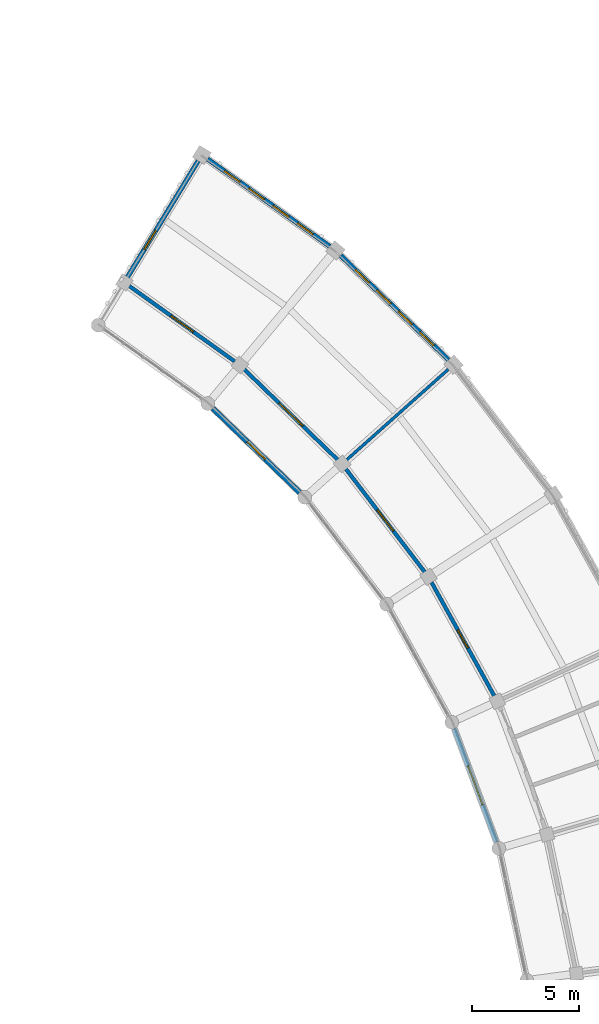
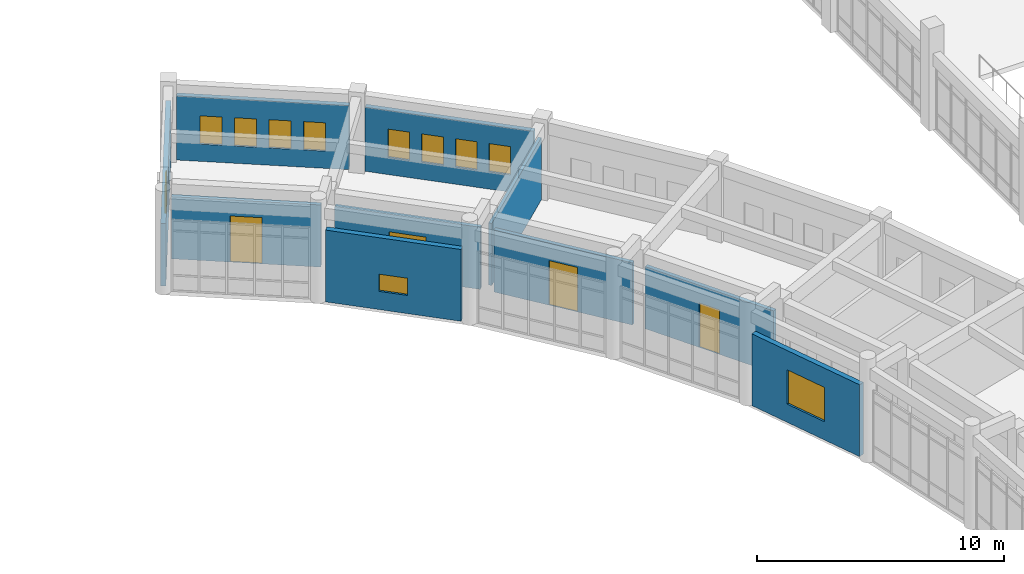
# One storey, part 132 of 159: 11 windows, 10 walls, 4 doors, 15 openings.
"""IFC4 building model written with IfcOpenShell, lengths in metres."""

from ifc_helpers import new_model, si_unit, direction, frame, frame_2d, origin, place, context, subcontext, project, spatial, rectangle, extrude, material, layer, layer_set, type_object, element, fill, save


model = new_model("IFC4")

# Units and contexts
model_context = context("Model", 3, precision=1e-05, world=origin(), true_north=direction((0.0, 1.0)))
body_context = subcontext(model_context, "Body", "Model", "MODEL_VIEW")
ifc_project = project(units=[si_unit("LENGTHUNIT", "METRE"), si_unit("AREAUNIT", "SQUARE_METRE"), si_unit("VOLUMEUNIT", "CUBIC_METRE"), si_unit("PLANEANGLEUNIT", "RADIAN"), si_unit("MASSUNIT", "GRAM", prefix="KILO")], contexts=[model_context])

# Site, building, storey
site_placement = place(None, origin())
site = spatial("IfcSite", under=ifc_project, at=site_placement, CompositionType="ELEMENT")
building_placement = place(site_placement, origin())
building = spatial("IfcBuilding", under=site, at=building_placement, Name="Celadon Cloister-Ring School", CompositionType="ELEMENT")
storey_placement = place(building_placement, frame((0.0, 0.0, 4.5)))
storey = spatial("IfcBuildingStorey", under=building, at=storey_placement, Name="L01", CompositionType="ELEMENT", Elevation=4.5)

# Wall, opening, window
ifc_material_1 = material(Name="Rendered concrete blockwork", Category="masonry")
ifc_layer_1 = layer(ifc_material_1, 0.239990234375)
ifc_layer_set_1 = layer_set([ifc_layer_1], Name="Rendered concrete blockwork")
wall_type_1 = type_object("IfcWallType", Name="WT-EX3", PredefinedType="SOLIDWALL", material=ifc_layer_set_1)
wall_1_placement = place(storey_placement, frame((127.843017578125, 71.205078125, 0.0), z_axis=(0.0, 0.0, 1.0), x_axis=(-0.349503004543, 0.936935243128, 0.0)))
wall_1 = element("IfcWall", 1, at=wall_1_placement, inside=storey, type_object=wall_type_1, Name="Exterior Wall 0094", PredefinedType="SOLIDWALL", context=body_context, shape_type="SweptSolid", body=[
    extrude(rectangle(XDim=5.6650390625, YDim=0.239990234375, at=frame_2d((2.83251953125, 0.0))), origin(), (0.0, 0.0, 1.0), 3.550048828125),
])
opening_1_placement = place(wall_1_placement, frame((1.85791015625, 0.0, 0.89990234375)))
opening_1 = element("IfcOpeningElement", 2, at=opening_1_placement, cuts=wall_1, Name="Opening WN-46", PredefinedType="OPENING", context=body_context, shape_type="SweptSolid", body=[
    extrude(rectangle(XDim=1.949951171875, YDim=1.699951171875, at=frame_2d((0.97509765625, 0.85009765625))), frame((0.0, 0.1298828125, 0.0), z_axis=(0.0, -1.0, 0.0), x_axis=(1.0, 0.0, 0.0)), (0.0, 0.0, 1.0), 0.260009765625),
])
ifc_material_2 = material(Name="Tempered laminated insulating glass", Category="glass")
window_type_1 = type_object("IfcWindowType", Name="WN-46", PartitioningType="DOUBLE_PANEL_VERTICAL", PredefinedType="WINDOW", material=ifc_material_2)
window_1_placement = place(opening_1_placement, origin())
window_1 = element("IfcWindow", 3, at=window_1_placement, inside=storey, type_object=window_type_1, Name="Window 0254", OverallHeight=1.699951171875, OverallWidth=1.949951171875, PartitioningType="SINGLE_PANEL", PredefinedType="WINDOW", context=body_context, shape_type="SweptSolid", body=[
    extrude(rectangle(XDim=1.949951171875, YDim=1.699951171875, at=frame_2d((0.97509765625, 0.85009765625))), frame((0.0, 0.030029296875, 0.0), z_axis=(0.0, -1.0, 0.0), x_axis=(1.0, 0.0, 0.0)), (0.0, 0.0, 1.0), 0.06005859375),
])
fill(opening_1, window_1)

wall_2_placement = place(storey_placement, frame((118.614990234375, 87.592041015625, 0.0), z_axis=(0.0, 0.0, 1.0), x_axis=(-0.718413161099, 0.695616654458, 0.0)))
wall_2 = element("IfcWall", 4, at=wall_2_placement, inside=storey, type_object=wall_type_1, Name="Exterior Wall 0098", PredefinedType="SOLIDWALL", context=body_context, shape_type="SweptSolid", body=[
    extrude(rectangle(XDim=5.665283203125, YDim=0.239990234375, at=frame_2d((2.83251953125, 0.0))), origin(), (0.0, 0.0, 1.0), 3.550048828125),
])
opening_2_placement = place(wall_2_placement, frame((2.23291015625, 0.0, 0.89990234375)))
opening_2 = element("IfcOpeningElement", 5, at=opening_2_placement, cuts=wall_2, Name="Opening WN-49", PredefinedType="OPENING", context=body_context, shape_type="SweptSolid", body=[
    extrude(rectangle(XDim=1.199951171875, YDim=0.85009765625, at=frame_2d((0.60009765625, 0.425048828125))), frame((0.0, 0.1298828125, 0.0), z_axis=(0.0, -1.0, 0.0), x_axis=(1.0, 0.0, 0.0)), (0.0, 0.0, 1.0), 0.260009765625),
])
ifc_material_3 = material(Name="Tempered laminated insulating glass", Category="glass")
window_type_2 = type_object("IfcWindowType", Name="WN-49", PartitioningType="SINGLE_PANEL", PredefinedType="WINDOW", material=ifc_material_3)
window_2_placement = place(opening_2_placement, origin())
window_2 = element("IfcWindow", 6, at=window_2_placement, inside=storey, type_object=window_type_2, Name="Window 0267", OverallHeight=0.85009765625, OverallWidth=1.199951171875, PartitioningType="SINGLE_PANEL", PredefinedType="WINDOW", context=body_context, shape_type="SweptSolid", body=[
    extrude(rectangle(XDim=1.199951171875, YDim=0.85009765625, at=frame_2d((0.60009765625, 0.425048828125))), frame((0.0, 0.030029296875, 0.0), z_axis=(0.0, -1.0, 0.0), x_axis=(1.0, 0.0, 0.0)), (0.0, 0.0, 1.0), 0.06005859375),
])
fill(opening_2, window_2)

# Wall, openings, windows
ifc_material_4 = material(Name="Perforated terracotta clay brick masonry", Category="masonry")
ifc_layer_2 = layer(ifc_material_4, 0.219970703125)
ifc_layer_set_2 = layer_set([ifc_layer_2], Name="Perforated terracotta clay brick masonry")
wall_type_2 = type_object("IfcWallType", Name="WT-EX4", PredefinedType="SOLIDWALL", material=ifc_layer_set_2)
wall_3_placement = place(storey_placement, frame((120.5380859375, 98.70703125, 0.0), z_axis=(0.0, 0.0, 1.0), x_axis=(0.718677705088, -0.695343336927, 0.0)))
wall_3 = element("IfcWall", 7, at=wall_3_placement, inside=storey, type_object=wall_type_2, Name="Exterior Wall 0097", PredefinedType="SOLIDWALL", context=body_context, shape_type="SweptSolid", body=[
    extrude(rectangle(XDim=7.031005859375, YDim=0.219970703125, at=frame_2d((3.515625, 0.0))), origin(), (0.0, 0.0, 1.0), 3.172119140625),
])
opening_3_placement = place(wall_3_placement, frame((0.9560546875, 0.0, 0.85009765625)))
opening_3 = element("IfcOpeningElement", 8, at=opening_3_placement, cuts=wall_3, Name="Opening WN-21", PredefinedType="OPENING", context=body_context, shape_type="SweptSolid", body=[
    extrude(rectangle(XDim=0.89990234375, YDim=1.39990234375, at=frame_2d((0.449951171875, 0.699951171875))), frame((0.0, 0.1201171875, 0.0), z_axis=(0.0, -1.0, 0.0), x_axis=(1.0, 0.0, 0.0)), (0.0, 0.0, 1.0), 0.239990234375),
])
opening_4_placement = place(wall_3_placement, frame((2.362060546875, 0.0, 0.85009765625)))
opening_4 = element("IfcOpeningElement", 9, at=opening_4_placement, cuts=wall_3, Name="Opening WN-21", PredefinedType="OPENING", context=body_context, shape_type="SweptSolid", body=[
    extrude(rectangle(XDim=0.89990234375, YDim=1.39990234375, at=frame_2d((0.449951171875, 0.699951171875))), frame((0.0, 0.1201171875, 0.0), z_axis=(0.0, -1.0, 0.0), x_axis=(1.0, 0.0, 0.0)), (0.0, 0.0, 1.0), 0.239990234375),
])
opening_5_placement = place(wall_3_placement, frame((3.76904296875, 0.0, 0.85009765625)))
opening_5 = element("IfcOpeningElement", 10, at=opening_5_placement, cuts=wall_3, Name="Opening WN-21", PredefinedType="OPENING", context=body_context, shape_type="SweptSolid", body=[
    extrude(rectangle(XDim=0.89990234375, YDim=1.39990234375, at=frame_2d((0.449951171875, 0.699951171875))), frame((0.0, 0.1201171875, 0.0), z_axis=(0.0, -1.0, 0.0), x_axis=(1.0, 0.0, 0.0)), (0.0, 0.0, 1.0), 0.239990234375),
])
opening_6_placement = place(wall_3_placement, frame((5.175048828125, 0.0, 0.85009765625)))
opening_6 = element("IfcOpeningElement", 11, at=opening_6_placement, cuts=wall_3, Name="Opening WN-21", PredefinedType="OPENING", context=body_context, shape_type="SweptSolid", body=[
    extrude(rectangle(XDim=0.89990234375, YDim=1.39990234375, at=frame_2d((0.449951171875, 0.699951171875))), frame((0.0, 0.1201171875, 0.0), z_axis=(0.0, -1.0, 0.0), x_axis=(1.0, 0.0, 0.0)), (0.0, 0.0, 1.0), 0.239990234375),
])
ifc_material_5 = material(Name="Tempered laminated insulating glass", Category="glass")
window_type_3 = type_object("IfcWindowType", Name="WN-21", PartitioningType="SINGLE_PANEL", PredefinedType="WINDOW", material=ifc_material_5)
window_3_placement = place(opening_3_placement, origin())
window_3 = element("IfcWindow", 12, at=window_3_placement, inside=storey, type_object=window_type_3, Name="Window 0263", OverallHeight=1.39990234375, OverallWidth=0.89990234375, PartitioningType="SINGLE_PANEL", PredefinedType="WINDOW", context=body_context, shape_type="SweptSolid", body=[
    extrude(rectangle(XDim=0.89990234375, YDim=1.39990234375, at=frame_2d((0.449951171875, 0.699951171875))), frame((0.0, 0.030029296875, 0.0), z_axis=(0.0, -1.0, 0.0), x_axis=(1.0, 0.0, 0.0)), (0.0, 0.0, 1.0), 0.06005859375),
])
fill(opening_3, window_3)
window_4_placement = place(opening_4_placement, origin())
window_4 = element("IfcWindow", 13, at=window_4_placement, inside=storey, type_object=window_type_3, Name="Window 0264", OverallHeight=1.39990234375, OverallWidth=0.89990234375, PartitioningType="SINGLE_PANEL", PredefinedType="WINDOW", context=body_context, shape_type="SweptSolid", body=[
    extrude(rectangle(XDim=0.89990234375, YDim=1.39990234375, at=frame_2d((0.449951171875, 0.699951171875))), frame((0.0, 0.030029296875, 0.0), z_axis=(0.0, -1.0, 0.0), x_axis=(1.0, 0.0, 0.0)), (0.0, 0.0, 1.0), 0.06005859375),
])
fill(opening_4, window_4)
window_5_placement = place(opening_5_placement, origin())
window_5 = element("IfcWindow", 14, at=window_5_placement, inside=storey, type_object=window_type_3, Name="Window 0265", OverallHeight=1.39990234375, OverallWidth=0.89990234375, PartitioningType="SINGLE_PANEL", PredefinedType="WINDOW", context=body_context, shape_type="SweptSolid", body=[
    extrude(rectangle(XDim=0.89990234375, YDim=1.39990234375, at=frame_2d((0.449951171875, 0.699951171875))), frame((0.0, 0.030029296875, 0.0), z_axis=(0.0, -1.0, 0.0), x_axis=(1.0, 0.0, 0.0)), (0.0, 0.0, 1.0), 0.06005859375),
])
fill(opening_5, window_5)
window_6_placement = place(opening_6_placement, origin())
window_6 = element("IfcWindow", 15, at=window_6_placement, inside=storey, type_object=window_type_3, Name="Window 0266", OverallHeight=1.39990234375, OverallWidth=0.89990234375, PartitioningType="SINGLE_PANEL", PredefinedType="WINDOW", context=body_context, shape_type="SweptSolid", body=[
    extrude(rectangle(XDim=0.89990234375, YDim=1.39990234375, at=frame_2d((0.449951171875, 0.699951171875))), frame((0.0, 0.030029296875, 0.0), z_axis=(0.0, -1.0, 0.0), x_axis=(1.0, 0.0, 0.0)), (0.0, 0.0, 1.0), 0.06005859375),
])
fill(opening_6, window_6)

wall_4_placement = place(storey_placement, frame((114.303955078125, 103.22705078125, 0.0), z_axis=(0.0, 0.0, 1.0), x_axis=(0.81337207515, -0.581743815924, 0.0)))
wall_4 = element("IfcWall", 16, at=wall_4_placement, inside=storey, type_object=wall_type_2, Name="Exterior Wall 0099", PredefinedType="SOLIDWALL", context=body_context, shape_type="SweptSolid", body=[
    extrude(rectangle(XDim=7.032470703125, YDim=0.219970703125, at=frame_2d((3.51611328125, 0.0))), origin(), (0.0, 0.0, 1.0), 3.172119140625),
])
opening_7_placement = place(wall_4_placement, frame((0.9560546875, 0.0, 0.85009765625)))
opening_7 = element("IfcOpeningElement", 17, at=opening_7_placement, cuts=wall_4, Name="Opening WN-21", PredefinedType="OPENING", context=body_context, shape_type="SweptSolid", body=[
    extrude(rectangle(XDim=0.89990234375, YDim=1.39990234375, at=frame_2d((0.449951171875, 0.699951171875))), frame((0.0, 0.1201171875, 0.0), z_axis=(0.0, -1.0, 0.0), x_axis=(1.0, 0.0, 0.0)), (0.0, 0.0, 1.0), 0.239990234375),
])
opening_8_placement = place(wall_4_placement, frame((2.363037109375, 0.0, 0.85009765625)))
opening_8 = element("IfcOpeningElement", 18, at=opening_8_placement, cuts=wall_4, Name="Opening WN-21", PredefinedType="OPENING", context=body_context, shape_type="SweptSolid", body=[
    extrude(rectangle(XDim=0.89990234375, YDim=1.39990234375, at=frame_2d((0.449951171875, 0.699951171875))), frame((0.0, 0.1201171875, 0.0), z_axis=(0.0, -1.0, 0.0), x_axis=(1.0, 0.0, 0.0)), (0.0, 0.0, 1.0), 0.239990234375),
])
opening_9_placement = place(wall_4_placement, frame((3.76904296875, 0.0, 0.85009765625)))
opening_9 = element("IfcOpeningElement", 19, at=opening_9_placement, cuts=wall_4, Name="Opening WN-21", PredefinedType="OPENING", context=body_context, shape_type="SweptSolid", body=[
    extrude(rectangle(XDim=0.89990234375, YDim=1.39990234375, at=frame_2d((0.449951171875, 0.699951171875))), frame((0.0, 0.1201171875, 0.0), z_axis=(0.0, -1.0, 0.0), x_axis=(1.0, 0.0, 0.0)), (0.0, 0.0, 1.0), 0.239990234375),
])
opening_10_placement = place(wall_4_placement, frame((5.176025390625, 0.0, 0.85009765625)))
opening_10 = element("IfcOpeningElement", 20, at=opening_10_placement, cuts=wall_4, Name="Opening WN-21", PredefinedType="OPENING", context=body_context, shape_type="SweptSolid", body=[
    extrude(rectangle(XDim=0.89990234375, YDim=1.39990234375, at=frame_2d((0.449951171875, 0.699951171875))), frame((0.0, 0.1201171875, 0.0), z_axis=(0.0, -1.0, 0.0), x_axis=(1.0, 0.0, 0.0)), (0.0, 0.0, 1.0), 0.239990234375),
])
window_7_placement = place(opening_7_placement, origin())
window_7 = element("IfcWindow", 21, at=window_7_placement, inside=storey, type_object=window_type_3, Name="Window 0268", OverallHeight=1.39990234375, OverallWidth=0.89990234375, PartitioningType="SINGLE_PANEL", PredefinedType="WINDOW", context=body_context, shape_type="SweptSolid", body=[
    extrude(rectangle(XDim=0.89990234375, YDim=1.39990234375, at=frame_2d((0.449951171875, 0.699951171875))), frame((0.0, 0.030029296875, 0.0), z_axis=(0.0, -1.0, 0.0), x_axis=(1.0, 0.0, 0.0)), (0.0, 0.0, 1.0), 0.06005859375),
])
fill(opening_7, window_7)
window_8_placement = place(opening_8_placement, origin())
window_8 = element("IfcWindow", 22, at=window_8_placement, inside=storey, type_object=window_type_3, Name="Window 0269", OverallHeight=1.39990234375, OverallWidth=0.89990234375, PartitioningType="SINGLE_PANEL", PredefinedType="WINDOW", context=body_context, shape_type="SweptSolid", body=[
    extrude(rectangle(XDim=0.89990234375, YDim=1.39990234375, at=frame_2d((0.449951171875, 0.699951171875))), frame((0.0, 0.030029296875, 0.0), z_axis=(0.0, -1.0, 0.0), x_axis=(1.0, 0.0, 0.0)), (0.0, 0.0, 1.0), 0.06005859375),
])
fill(opening_8, window_8)
window_9_placement = place(opening_9_placement, origin())
window_9 = element("IfcWindow", 23, at=window_9_placement, inside=storey, type_object=window_type_3, Name="Window 0270", OverallHeight=1.39990234375, OverallWidth=0.89990234375, PartitioningType="SINGLE_PANEL", PredefinedType="WINDOW", context=body_context, shape_type="SweptSolid", body=[
    extrude(rectangle(XDim=0.89990234375, YDim=1.39990234375, at=frame_2d((0.449951171875, 0.699951171875))), frame((0.0, 0.030029296875, 0.0), z_axis=(0.0, -1.0, 0.0), x_axis=(1.0, 0.0, 0.0)), (0.0, 0.0, 1.0), 0.06005859375),
])
fill(opening_9, window_9)
window_10_placement = place(opening_10_placement, origin())
window_10 = element("IfcWindow", 24, at=window_10_placement, inside=storey, type_object=window_type_3, Name="Window 0271", OverallHeight=1.39990234375, OverallWidth=0.89990234375, PartitioningType="SINGLE_PANEL", PredefinedType="WINDOW", context=body_context, shape_type="SweptSolid", body=[
    extrude(rectangle(XDim=0.89990234375, YDim=1.39990234375, at=frame_2d((0.449951171875, 0.699951171875))), frame((0.0, 0.030029296875, 0.0), z_axis=(0.0, -1.0, 0.0), x_axis=(1.0, 0.0, 0.0)), (0.0, 0.0, 1.0), 0.06005859375),
])
fill(opening_10, window_10)

# Wall, opening, window
wall_5_placement = place(storey_placement, frame((109.340087890625, 95.714111328125, 0.0), z_axis=(0.0, 0.0, 1.0), x_axis=(0.519865008616, 0.854248425703, 0.0)))
wall_5 = element("IfcWall", 25, at=wall_5_placement, inside=storey, type_object=wall_type_2, Name="Exterior Wall 0101", PredefinedType="SOLIDWALL", context=body_context, shape_type="SweptSolid", body=[
    extrude(rectangle(XDim=8.696533203125, YDim=0.219970703125, at=frame_2d((4.34814453125, 0.0))), origin(), (0.0, 0.0, 1.0), 3.072021484375),
])
opening_11_placement = place(wall_5_placement, frame((3.822998046875, 0.0, 0.89990234375)))
opening_11 = element("IfcOpeningElement", 26, at=opening_11_placement, cuts=wall_5, Name="Opening WN-22", PredefinedType="OPENING", context=body_context, shape_type="SweptSolid", body=[
    extrude(rectangle(XDim=1.050048828125, YDim=1.39990234375, at=frame_2d((0.52490234375, 0.699951171875))), frame((0.0, 0.1201171875, 0.0), z_axis=(0.0, -1.0, 0.0), x_axis=(1.0, 0.0, 0.0)), (0.0, 0.0, 1.0), 0.239990234375),
])
ifc_material_6 = material(Name="Tempered laminated insulating glass", Category="glass")
window_type_4 = type_object("IfcWindowType", Name="WN-22", PartitioningType="SINGLE_PANEL", PredefinedType="WINDOW", material=ifc_material_6)
window_11_placement = place(opening_11_placement, origin())
window_11 = element("IfcWindow", 27, at=window_11_placement, inside=storey, type_object=window_type_4, Name="Window 0273", OverallHeight=1.39990234375, OverallWidth=1.050048828125, PartitioningType="SINGLE_PANEL", PredefinedType="WINDOW", context=body_context, shape_type="SweptSolid", body=[
    extrude(rectangle(XDim=1.050048828125, YDim=1.39990234375, at=frame_2d((0.52490234375, 0.699951171875))), frame((0.0, 0.030029296875, 0.0), z_axis=(0.0, -1.0, 0.0), x_axis=(1.0, 0.0, 0.0)), (0.0, 0.0, 1.0), 0.06005859375),
])
fill(opening_11, window_11)

# Wall, opening, door
ifc_material_7 = material(Name="Plastered hollow concrete masonry", Category="masonry")
ifc_layer_3 = layer(ifc_material_7, 0.179931640625)
ifc_layer_set_3 = layer_set([ifc_layer_3], Name="Plastered hollow concrete masonry")
wall_type_3 = type_object("IfcWallType", Name="WT-PT2", PredefinedType="PARTITIONING", material=ifc_layer_set_3)
wall_6_placement = place(storey_placement, frame((127.741943359375, 78.056884765625, 0.0), z_axis=(0.0, 0.0, 1.0), x_axis=(-0.483784040094, 0.875187409959, 0.0)))
wall_6 = element("IfcWall", 28, at=wall_6_placement, inside=storey, type_object=wall_type_3, Name="Interior Wall 0533", PredefinedType="PARTITIONING", context=body_context, shape_type="SweptSolid", body=[
    extrude(rectangle(XDim=6.0810546875, YDim=0.179931640625, at=frame_2d((3.04052734375, 0.0))), origin(), (0.0, 0.0, 1.0), 3.072021484375),
])
opening_12_placement = place(wall_6_placement, frame((2.551025390625, 0.0, 0.0)))
opening_12 = element("IfcOpeningElement", 29, at=opening_12_placement, cuts=wall_6, Name="Opening D-0171", PredefinedType="OPENING", context=body_context, shape_type="SweptSolid", body=[
    extrude(rectangle(XDim=0.97998046875, YDim=2.199951171875, at=frame_2d((0.489990234375, 1.10009765625))), frame((0.0, 0.10009765625, 0.0), z_axis=(0.0, -1.0, 0.0), x_axis=(1.0, 0.0, 0.0)), (0.0, 0.0, 1.0), 0.199951171875),
])
ifc_material_8 = material(Name="Solid-core fire-rated hardwood leaf", Category="wood")
door_type_1 = type_object("IfcDoorType", Name="DT-07", OperationType="NOTDEFINED", PredefinedType="DOOR", material=ifc_material_8)
door_1_placement = place(opening_12_placement, origin())
door_1 = element("IfcDoor", 30, at=door_1_placement, inside=storey, type_object=door_type_1, Name="Door D-0171", OperationType="SINGLE_SWING_LEFT", OverallHeight=2.199951171875, OverallWidth=0.97998046875, PredefinedType="DOOR", context=body_context, shape_type="SweptSolid", body=[
    extrude(rectangle(XDim=0.97998046875, YDim=2.199951171875, at=frame_2d((0.489990234375, 1.10009765625))), frame((0.0, 0.02490234375, 0.0), z_axis=(0.0, -1.0, 0.0), x_axis=(1.0, 0.0, 0.0)), (0.0, 0.0, 1.0), 0.050048828125),
])
fill(opening_12, door_1)

wall_7_placement = place(storey_placement, frame((124.47998046875, 83.866943359375, 0.0), z_axis=(0.0, 0.0, 1.0), x_axis=(-0.607883612756, 0.794026141473, 0.0)))
wall_7 = element("IfcWall", 31, at=wall_7_placement, inside=storey, type_object=wall_type_3, Name="Interior Wall 0534", PredefinedType="PARTITIONING", context=body_context, shape_type="SweptSolid", body=[
    extrude(rectangle(XDim=6.081787109375, YDim=0.179931640625, at=frame_2d((3.041015625, 0.0))), origin(), (0.0, 0.0, 1.0), 3.072021484375),
])
opening_13_placement = place(wall_7_placement, frame((2.416015625, 0.0, 0.0)))
opening_13 = element("IfcOpeningElement", 32, at=opening_13_placement, cuts=wall_7, Name="Opening D-0172", PredefinedType="OPENING", context=body_context, shape_type="SweptSolid", body=[
    extrude(rectangle(XDim=1.25, YDim=2.199951171875, at=frame_2d((0.625, 1.10009765625))), frame((0.0, 0.10009765625, 0.0), z_axis=(0.0, -1.0, 0.0), x_axis=(1.0, 0.0, 0.0)), (0.0, 0.0, 1.0), 0.199951171875),
])
ifc_material_9 = material(Name="Galvanised fire-rated hollow steel leaf", Category="steel")
door_type_2 = type_object("IfcDoorType", Name="DT-10", OperationType="NOTDEFINED", PredefinedType="DOOR", material=ifc_material_9)
door_2_placement = place(opening_13_placement, origin())
door_2 = element("IfcDoor", 33, at=door_2_placement, inside=storey, type_object=door_type_2, Name="Door D-0172", OperationType="SINGLE_SWING_RIGHT", OverallHeight=2.199951171875, OverallWidth=1.25, PredefinedType="DOOR", context=body_context, shape_type="SweptSolid", body=[
    extrude(rectangle(XDim=1.25, YDim=2.199951171875, at=frame_2d((0.625, 1.10009765625))), frame((0.0, 0.02490234375, 0.0), z_axis=(0.0, -1.0, 0.0), x_axis=(1.0, 0.0, 0.0)), (0.0, 0.0, 1.0), 0.050048828125),
])
fill(opening_13, door_2)

wall_8_placement = place(storey_placement, frame((120.39501953125, 89.132080078125, 0.0), z_axis=(0.0, 0.0, 1.0), x_axis=(-0.7186137907, 0.695409390084, 0.0)))
wall_8 = element("IfcWall", 34, at=wall_8_placement, inside=storey, type_object=wall_type_3, Name="Interior Wall 0535", PredefinedType="PARTITIONING", context=body_context, shape_type="SweptSolid", body=[
    extrude(rectangle(XDim=6.081298828125, YDim=0.179931640625, at=frame_2d((3.04052734375, 0.0))), origin(), (0.0, 0.0, 1.0), 3.072021484375),
])
opening_14_placement = place(wall_8_placement, frame((2.26611328125, 0.0, 0.0)))
opening_14 = element("IfcOpeningElement", 35, at=opening_14_placement, cuts=wall_8, Name="Opening D-0173", PredefinedType="OPENING", context=body_context, shape_type="SweptSolid", body=[
    extrude(rectangle(XDim=1.550048828125, YDim=2.199951171875, at=frame_2d((0.77490234375, 1.10009765625))), frame((0.0, 0.10009765625, 0.0), z_axis=(0.0, -1.0, 0.0), x_axis=(1.0, 0.0, 0.0)), (0.0, 0.0, 1.0), 0.199951171875),
])
ifc_material_10 = material(Name="Galvanised fire-rated hollow steel leaf", Category="steel")
door_type_3 = type_object("IfcDoorType", Name="DT-13", OperationType="NOTDEFINED", PredefinedType="DOOR", material=ifc_material_10)
door_3_placement = place(opening_14_placement, origin())
door_3 = element("IfcDoor", 36, at=door_3_placement, inside=storey, type_object=door_type_3, Name="Door D-0173", OperationType="SINGLE_SWING_LEFT", OverallHeight=2.199951171875, OverallWidth=1.550048828125, PredefinedType="DOOR", context=body_context, shape_type="SweptSolid", body=[
    extrude(rectangle(XDim=1.550048828125, YDim=2.199951171875, at=frame_2d((0.77490234375, 1.10009765625))), frame((0.0, 0.02490234375, 0.0), z_axis=(0.0, -1.0, 0.0), x_axis=(1.0, 0.0, 0.0)), (0.0, 0.0, 1.0), 0.050048828125),
])
fill(opening_14, door_3)

wall_9_placement = place(storey_placement, frame((115.576904296875, 93.735107421875, 0.0), z_axis=(0.0, 0.0, 1.0), x_axis=(-0.813478411551, 0.581595111688, 0.0)))
wall_9 = element("IfcWall", 37, at=wall_9_placement, inside=storey, type_object=wall_type_3, Name="Interior Wall 0536", PredefinedType="PARTITIONING", context=body_context, shape_type="SweptSolid", body=[
    extrude(rectangle(XDim=6.081298828125, YDim=0.179931640625, at=frame_2d((3.04052734375, 0.0))), origin(), (0.0, 0.0, 1.0), 3.072021484375),
])
opening_15_placement = place(wall_9_placement, frame((2.39111328125, 0.0, 0.0)))
opening_15 = element("IfcOpeningElement", 38, at=opening_15_placement, cuts=wall_9, Name="Opening D-0174", PredefinedType="OPENING", context=body_context, shape_type="SweptSolid", body=[
    extrude(rectangle(XDim=1.300048828125, YDim=2.280029296875, at=frame_2d((0.64990234375, 1.14013671875))), frame((0.0, 0.10009765625, 0.0), z_axis=(0.0, -1.0, 0.0), x_axis=(1.0, 0.0, 0.0)), (0.0, 0.0, 1.0), 0.199951171875),
])
ifc_material_11 = material(Name="Galvanised fire-rated hollow steel leaf", Category="steel")
door_type_4 = type_object("IfcDoorType", Name="DT-16", OperationType="NOTDEFINED", PredefinedType="DOOR", material=ifc_material_11)
door_4_placement = place(opening_15_placement, origin())
door_4 = element("IfcDoor", 39, at=door_4_placement, inside=storey, type_object=door_type_4, Name="Door D-0174", OperationType="SINGLE_SWING_RIGHT", OverallHeight=2.280029296875, OverallWidth=1.300048828125, PredefinedType="DOOR", context=body_context, shape_type="SweptSolid", body=[
    extrude(rectangle(XDim=1.300048828125, YDim=2.280029296875, at=frame_2d((0.64990234375, 1.14013671875))), frame((0.0, 0.02490234375, 0.0), z_axis=(0.0, -1.0, 0.0), x_axis=(1.0, 0.0, 0.0)), (0.0, 0.0, 1.0), 0.050048828125),
])
fill(opening_15, door_4)

# Wall
ifc_material_12 = material(Name="Acoustic mineral-wool drywall partition")
ifc_layer_4 = layer(ifc_material_12, 0.139892578125)
ifc_layer_set_4 = layer_set([ifc_layer_4], Name="Acoustic mineral-wool drywall partition")
wall_type_4 = type_object("IfcWallType", Name="WT-PT4", PredefinedType="PARTITIONING", material=ifc_layer_set_4)
wall_10_placement = place(storey_placement, frame((120.822998046875, 89.1220703125, 0.0), z_axis=(0.0, 0.0, 1.0), x_axis=(0.746692270919, 0.665169641934, 0.0)))
element("IfcWall", 40, at=wall_10_placement, inside=storey, type_object=wall_type_4, Name="Interior Wall 0501", PredefinedType="PARTITIONING", context=body_context, shape_type="SweptSolid", body=[
    extrude(rectangle(XDim=6.390869140625, YDim=0.139892578125, at=frame_2d((3.1953125, 0.0))), origin(), (0.0, 0.0, 1.0), 3.072021484375),
])

save(model, "model.ifc")
